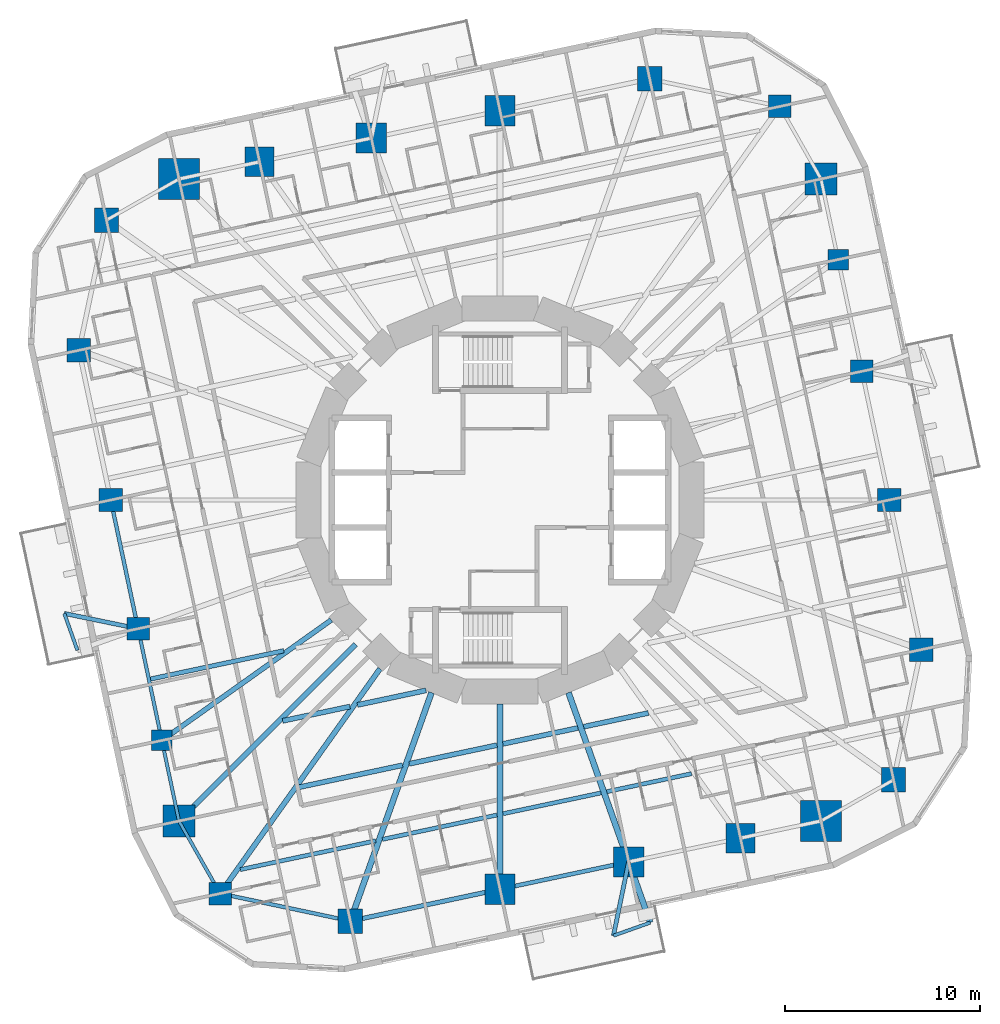
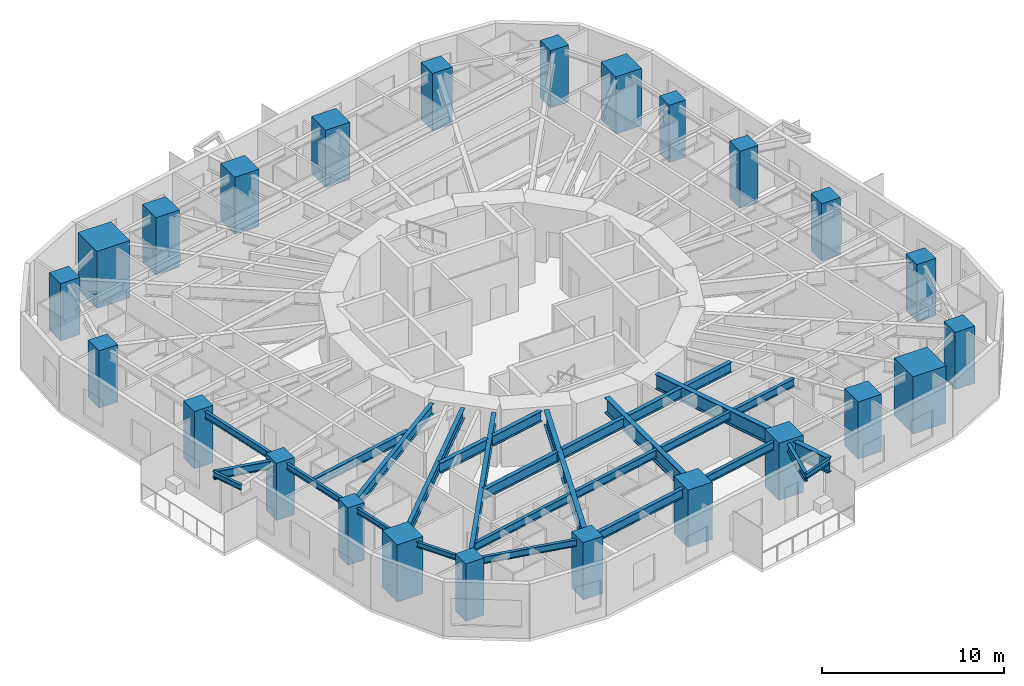
# One storey, part 1 of 14: 28 beams, 24 columns.
"""IFC4 building model written with IfcOpenShell, lengths in metres."""

from ifc_helpers import new_model, si_unit, direction, frame, origin, origin_2d, place, context, subcontext, project, spatial, rectangle, i_section, extrude, material, material_profile, profile_set, type_object, element, save


model = new_model("IFC4")

# Units and contexts
model_context = context("Model", 3, precision=1e-05, world=origin(), true_north=direction((0.0, 1.0)))
body_context = subcontext(model_context, "Body", "Model", "MODEL_VIEW")
ifc_project = project(units=[si_unit("LENGTHUNIT", "METRE"), si_unit("AREAUNIT", "SQUARE_METRE"), si_unit("VOLUMEUNIT", "CUBIC_METRE"), si_unit("PLANEANGLEUNIT", "RADIAN"), si_unit("MASSUNIT", "GRAM", prefix="KILO")], contexts=[model_context])

# Site, building, storey
site_placement = place(None, origin())
site = spatial("IfcSite", under=ifc_project, at=site_placement, CompositionType="ELEMENT")
building_placement = place(site_placement, origin())
building = spatial("IfcBuilding", under=site, at=building_placement, Name="Nakasero Lantern House", CompositionType="ELEMENT")
storey_placement = place(building_placement, frame((0.0, 0.0, 112.699951171875)))
storey = spatial("IfcBuildingStorey", under=building, at=storey_placement, Name="L27", CompositionType="ELEMENT", Elevation=112.699951171875)

# Columns
ifc_material_1 = material(Name="Concrete C50/60", Category="concrete")
ifc_material_profile_1 = material_profile(ifc_material_1, rectangle(XDim=1.64990234375, YDim=1.64990234375, at=origin_2d()), Name="RC 1650x1650")
ifc_profile_set_1 = profile_set([ifc_material_profile_1], Name="Concrete C50/60")
column_type_1 = type_object("IfcColumnType", Name="Mega column RC 1650x1650 C50/60", PredefinedType="COLUMN", material=ifc_profile_set_1)
for number, where, z_axis, x_axis, name in (
    (1, (16.44091796875, 16.44091796875, 0.0), (0.0, 0.0, 1.0), (1.0, 0.0, 0.0), "Column B3-C06 L27"),
    (2, (-16.44091796875, -16.44091796875, 0.0), (0.0, 0.0, 1.0), (1.0, 0.0, 0.0), "Column B3-C18 L27"),
):
    element("IfcColumn", number, at=place(storey_placement, frame(where, z_axis=z_axis, x_axis=x_axis)), inside=storey, type_object=column_type_1, Name=name, PredefinedType="COLUMN", context=body_context, shape_type="SweptSolid", body=[
        extrude(rectangle(XDim=1.64990234375, YDim=1.64990234375, at=origin_2d()), origin(), (0.0, 0.0, 1.0), 3.85009765625),
    ])
ifc_material_2 = material(Name="Concrete C50/60", Category="concrete")
ifc_material_profile_2 = material_profile(ifc_material_2, rectangle(XDim=2.10009765625, YDim=2.10009765625, at=origin_2d()), Name="RC 2100x2100")
ifc_profile_set_2 = profile_set([ifc_material_profile_2], Name="Concrete C50/60")
column_type_2 = type_object("IfcColumnType", Name="Mega column RC 2100x2100 C50/60", PredefinedType="COLUMN", material=ifc_profile_set_2)
for number, where, z_axis, x_axis, name in (
    (3, (-16.44091796875, 16.44091796875, 0.0), (0.0, 0.0, 1.0), (1.0, 0.0, 0.0), "Column B3-C12 L27"),
    (4, (16.44091796875, -16.44091796875, 0.0), (0.0, 0.0, 1.0), (1.0, 0.0, 0.0), "Column B3-C24 L27"),
):
    element("IfcColumn", number, at=place(storey_placement, frame(where, z_axis=z_axis, x_axis=x_axis)), inside=storey, type_object=column_type_2, Name=name, PredefinedType="COLUMN", context=body_context, shape_type="SweptSolid", body=[
        extrude(rectangle(XDim=2.10009765625, YDim=2.10009765625, at=origin_2d()), origin(), (0.0, 0.0, 1.0), 3.85009765625),
    ])
ifc_material_3 = material(Name="Concrete C50/60", Category="concrete")
ifc_material_profile_3 = material_profile(ifc_material_3, rectangle(XDim=1.050048828125, YDim=1.050048828125, at=origin_2d()), Name="RC 1050x1050")
ifc_profile_set_3 = profile_set([ifc_material_profile_3], Name="Concrete C50/60")
column_type_3 = type_object("IfcColumnType", Name="Ring column RC 1050x1050 C50/60", PredefinedType="COLUMN", material=ifc_profile_set_3)
for number, where, z_axis, x_axis, name in (
    (5, (17.318115234375, 12.31494140625, 0.0), (0.0, 0.0, 1.0), (1.0, 0.0, 0.0), "Column B3-C05 L27"),
    (6, (-17.318115234375, -12.31494140625, 0.0), (0.0, 0.0, 1.0), (1.0, 0.0, 0.0), "Column B3-C17 L27"),
):
    element("IfcColumn", number, at=place(storey_placement, frame(where, z_axis=z_axis, x_axis=x_axis)), inside=storey, type_object=column_type_3, Name=name, PredefinedType="COLUMN", context=body_context, shape_type="SweptSolid", body=[
        extrude(rectangle(XDim=1.050048828125, YDim=1.050048828125, at=origin_2d()), origin(), (0.0, 0.0, 1.0), 3.85009765625),
    ])
ifc_material_4 = material(Name="Concrete C50/60", Category="concrete")
ifc_material_profile_4 = material_profile(ifc_material_4, rectangle(XDim=1.14990234375, YDim=1.14990234375, at=origin_2d()), Name="RC 1150x1150")
ifc_profile_set_4 = profile_set([ifc_material_profile_4], Name="Concrete C50/60")
column_type_4 = type_object("IfcColumnType", Name="Ring column RC 1150x1150 C50/60", PredefinedType="COLUMN", material=ifc_profile_set_4)
for number, where, z_axis, x_axis, name in (
    (7, (18.534912109375, 6.590087890625, 0.0), (0.0, 0.0, 1.0), (1.0, 0.0, 0.0), "Column B3-C04 L27"),
    (8, (14.33349609375, 20.15625, 0.0), (0.0, 0.0, 1.0), (1.0, 0.0, 0.0), "Column B3-C07 L27"),
    (9, (-18.534912109375, -6.590087890625, 0.0), (0.0, 0.0, 1.0), (1.0, 0.0, 0.0), "Column B3-C16 L27"),
    (10, (-14.33349609375, -20.15625, 0.0), (0.0, 0.0, 1.0), (1.0, 0.0, 0.0), "Column B3-C19 L27"),
):
    element("IfcColumn", number, at=place(storey_placement, frame(where, z_axis=z_axis, x_axis=x_axis)), inside=storey, type_object=column_type_4, Name=name, PredefinedType="COLUMN", context=body_context, shape_type="SweptSolid", body=[
        extrude(rectangle(XDim=1.14990234375, YDim=1.14990234375, at=origin_2d()), origin(), (0.0, 0.0, 1.0), 3.85009765625),
    ])
ifc_material_5 = material(Name="Concrete C50/60", Category="concrete")
ifc_material_profile_5 = material_profile(ifc_material_5, rectangle(XDim=1.199951171875, YDim=1.199951171875, at=origin_2d()), Name="RC 1200x1200")
ifc_profile_set_5 = profile_set([ifc_material_profile_5], Name="Concrete C50/60")
column_type_5 = type_object("IfcColumnType", Name="Ring column RC 1200x1200 C50/60", PredefinedType="COLUMN", material=ifc_profile_set_5)
for number, where, z_axis, x_axis, name in (
    (11, (21.5654296875, -7.667724609375, 0.0), (0.0, 0.0, 1.0), (1.0, 0.0, 0.0), "Column B3-C02 L27"),
    (12, (19.935546875, 0.0, 0.0), (0.0, 0.0, 1.0), (1.0, 0.0, 0.0), "Column B3-C03 L27"),
    (13, (-21.5654296875, 7.667724609375, 0.0), (0.0, 0.0, 1.0), (1.0, 0.0, 0.0), "Column B3-C14 L27"),
    (14, (-19.935546875, 0.0, 0.0), (0.0, 0.0, 1.0), (1.0, 0.0, 0.0), "Column B3-C15 L27"),
):
    element("IfcColumn", number, at=place(storey_placement, frame(where, z_axis=z_axis, x_axis=x_axis)), inside=storey, type_object=column_type_5, Name=name, PredefinedType="COLUMN", context=body_context, shape_type="SweptSolid", body=[
        extrude(rectangle(XDim=1.199951171875, YDim=1.199951171875, at=origin_2d()), origin(), (0.0, 0.0, 1.0), 3.85009765625),
    ])
ifc_material_6 = material(Name="Concrete C50/60", Category="concrete")
ifc_material_profile_6 = material_profile(ifc_material_6, rectangle(XDim=1.25, YDim=1.25, at=origin_2d()), Name="RC 1250x1250")
ifc_profile_set_6 = profile_set([ifc_material_profile_6], Name="Concrete C50/60")
column_type_6 = type_object("IfcColumnType", Name="Ring column RC 1250x1250 C50/60", PredefinedType="COLUMN", material=ifc_profile_set_6)
for number, where, z_axis, x_axis, name in (
    (15, (20.15625, -14.33349609375, 0.0), (0.0, 0.0, 1.0), (1.0, 0.0, 0.0), "Column B3-C01 L27"),
    (16, (7.667724609375, 21.5654296875, 0.0), (0.0, 0.0, 1.0), (1.0, 0.0, 0.0), "Column B3-C08 L27"),
    (17, (-20.15625, 14.33349609375, 0.0), (0.0, 0.0, 1.0), (1.0, 0.0, 0.0), "Column B3-C13 L27"),
    (18, (-7.667724609375, -21.5654296875, 0.0), (0.0, 0.0, 1.0), (1.0, 0.0, 0.0), "Column B3-C20 L27"),
):
    element("IfcColumn", number, at=place(storey_placement, frame(where, z_axis=z_axis, x_axis=x_axis)), inside=storey, type_object=column_type_6, Name=name, PredefinedType="COLUMN", context=body_context, shape_type="SweptSolid", body=[
        extrude(rectangle(XDim=1.25, YDim=1.25, at=origin_2d()), origin(), (0.0, 0.0, 1.0), 3.85009765625),
    ])
ifc_material_7 = material(Name="Concrete C50/60", Category="concrete")
ifc_material_profile_7 = material_profile(ifc_material_7, rectangle(XDim=1.5, YDim=1.5, at=origin_2d()), Name="RC 1500x1500")
ifc_profile_set_7 = profile_set([ifc_material_profile_7], Name="Concrete C50/60")
column_type_7 = type_object("IfcColumnType", Name="Ring column RC 1500x1500 C50/60", PredefinedType="COLUMN", material=ifc_profile_set_7)
for number, where, z_axis, x_axis, name in (
    (19, (-12.31494140625, 17.318115234375, 0.0), (0.0, 0.0, 1.0), (1.0, 0.0, 0.0), "Column B3-C11 L27"),
    (20, (12.31494140625, -17.318115234375, 0.0), (0.0, 0.0, 1.0), (1.0, 0.0, 0.0), "Column B3-C23 L27"),
):
    element("IfcColumn", number, at=place(storey_placement, frame(where, z_axis=z_axis, x_axis=x_axis)), inside=storey, type_object=column_type_7, Name=name, PredefinedType="COLUMN", context=body_context, shape_type="SweptSolid", body=[
        extrude(rectangle(XDim=1.5, YDim=1.5, at=origin_2d()), origin(), (0.0, 0.0, 1.0), 3.85009765625),
    ])
ifc_material_8 = material(Name="Concrete C50/60", Category="concrete")
ifc_material_profile_8 = material_profile(ifc_material_8, rectangle(XDim=1.550048828125, YDim=1.550048828125, at=origin_2d()), Name="RC 1550x1550")
ifc_profile_set_8 = profile_set([ifc_material_profile_8], Name="Concrete C50/60")
column_type_8 = type_object("IfcColumnType", Name="Ring column RC 1550x1550 C50/60", PredefinedType="COLUMN", material=ifc_profile_set_8)
for number, where, z_axis, x_axis, name in (
    (21, (0.0, 19.935546875, 0.0), (0.0, 0.0, 1.0), (1.0, 0.0, 0.0), "Column B3-C09 L27"),
    (22, (-6.590087890625, 18.534912109375, 0.0), (0.0, 0.0, 1.0), (1.0, 0.0, 0.0), "Column B3-C10 L27"),
    (23, (0.0, -19.935546875, 0.0), (0.0, 0.0, 1.0), (1.0, 0.0, 0.0), "Column B3-C21 L27"),
    (24, (6.590087890625, -18.534912109375, 0.0), (0.0, 0.0, 1.0), (1.0, 0.0, 0.0), "Column B3-C22 L27"),
):
    element("IfcColumn", number, at=place(storey_placement, frame(where, z_axis=z_axis, x_axis=x_axis)), inside=storey, type_object=column_type_8, Name=name, PredefinedType="COLUMN", context=body_context, shape_type="SweptSolid", body=[
        extrude(rectangle(XDim=1.550048828125, YDim=1.550048828125, at=origin_2d()), origin(), (0.0, 0.0, 1.0), 3.85009765625),
    ])

# Beams
ifc_material_9 = material(Name="Steel S355", Category="steel")
ifc_material_profile_9 = material_profile(ifc_material_9, i_section(OverallWidth=0.2138671875, OverallDepth=0.549072265625, WebThickness=0.0146484375, FlangeThickness=0.023681640625, FilletRadius=0.0126953125, at=origin_2d()), Name="UB 533x210x138")
ifc_profile_set_9 = profile_set([ifc_material_profile_9], Name="Steel S355")
beam_type_1 = type_object("IfcBeamType", Name="Balcony splay beam UB 533x210x138", PredefinedType="BEAM", material=ifc_profile_set_9)
for number, where, z_axis, x_axis, name in (
    (25, (-18.534912109375, -6.590087890625, 3.37548828125), (-0.979420272605, 0.201831438605, 0.0), (-0.201831438605, -0.979420272605, 0.0), "Balcony splay beam L28 B3-C16A"),
    (26, (6.590087890625, -18.534912109375, 3.37548828125), (-0.201831438605, -0.979420272605, 0.0), (0.979420272605, -0.201831438605, 0.0), "Balcony splay beam L28 B3-C22A"),
):
    element("IfcBeam", number, at=place(storey_placement, frame(where, z_axis=z_axis, x_axis=x_axis)), inside=storey, type_object=beam_type_1, Name=name, PredefinedType="BEAM", context=body_context, shape_type="SweptSolid", body=[
        extrude(i_section(OverallWidth=0.2138671875, OverallDepth=0.549072265625, WebThickness=0.0146484375, FlangeThickness=0.023681640625, FilletRadius=0.0126953125, at=origin_2d()), origin(), (0.0, 0.0, 1.0), 3.858642578125),
    ])
ifc_material_10 = material(Name="Steel S355", Category="steel")
ifc_material_profile_10 = material_profile(ifc_material_10, i_section(OverallWidth=0.17138671875, OverallDepth=0.35498046875, WebThickness=0.00732421875, FlangeThickness=0.011474609375, FilletRadius=0.01025390625, at=origin_2d()), Name="UB 356x171x51")
ifc_profile_set_10 = profile_set([ifc_material_profile_10], Name="Steel S355")
beam_type_2 = type_object("IfcBeamType", Name="Balcony tie beam UB 356x171x51", PredefinedType="BEAM", material=ifc_profile_set_10)
for number, where, z_axis, x_axis, name in (
    (27, (-22.314208984375, -5.811279296875, 3.47265625), (0.335060236487, -0.942196708721, 0.0), (0.942196708721, 0.335060236487, 0.0), "Balcony tie beam L28 B3-C16"),
    (28, (5.811279296875, -22.314208984375, 3.47265625), (0.942196708721, 0.335060236487, 0.0), (-0.335060236487, 0.942196708721, 0.0), "Balcony tie beam L28 B3-C22"),
):
    element("IfcBeam", number, at=place(storey_placement, frame(where, z_axis=z_axis, x_axis=x_axis)), inside=storey, type_object=beam_type_2, Name=name, PredefinedType="BEAM", context=body_context, shape_type="SweptSolid", body=[
        extrude(i_section(OverallWidth=0.17138671875, OverallDepth=0.35498046875, WebThickness=0.00732421875, FlangeThickness=0.011474609375, FilletRadius=0.01025390625, at=origin_2d()), origin(), (0.0, 0.0, 1.0), 2.000244140625),
    ])
ifc_material_11 = material(Name="Steel S355", Category="steel")
ifc_material_profile_11 = material_profile(ifc_material_11, i_section(OverallWidth=0.2099609375, OverallDepth=0.53662109375, WebThickness=0.0107421875, FlangeThickness=0.017333984375, FilletRadius=0.0126953125, at=origin_2d()), Name="UB 533x210x101")
ifc_profile_set_11 = profile_set([ifc_material_profile_11], Name="Steel S355")
beam_type_3 = type_object("IfcBeamType", Name="Infill beam UB 533x210x101", PredefinedType="JOIST", material=ifc_profile_set_11)
beam_1_placement = place(storey_placement, frame((-13.29638671875, -18.927978515625, 3.381591796875), z_axis=(0.978149480204, 0.207902848411, 0.0), x_axis=(-0.207902848411, 0.978149480204, 0.0)))
element("IfcBeam", 29, at=beam_1_placement, inside=storey, type_object=beam_type_3, Name="Infill beam L28 03.1", PredefinedType="JOIST", context=body_context, shape_type="SweptSolid", body=[
    extrude(i_section(OverallWidth=0.2099609375, OverallDepth=0.53662109375, WebThickness=0.0107421875, FlangeThickness=0.017333984375, FilletRadius=0.0126953125, at=origin_2d()), origin(), (0.0, 0.0, 1.0), 7.085693359375),
])
beam_2_placement = place(storey_placement, frame((-6.02099609375, -17.381591796875, 3.381591796875), z_axis=(0.978149438519, 0.207903044531, 0.0), x_axis=(-0.207903044531, 0.978149438519, 0.0)))
element("IfcBeam", 30, at=beam_2_placement, inside=storey, type_object=beam_type_3, Name="Infill beam L28 03.2", PredefinedType="JOIST", context=body_context, shape_type="SweptSolid", body=[
    extrude(i_section(OverallWidth=0.2099609375, OverallDepth=0.53662109375, WebThickness=0.0107421875, FlangeThickness=0.017333984375, FilletRadius=0.0126953125, at=origin_2d()), origin(), (0.0, 0.0, 1.0), 5.99951171875),
])
beam_3_placement = place(storey_placement, frame((0.152587890625, -16.0693359375, 3.381591796875), z_axis=(0.978153894908, 0.207882076853, 0.0), x_axis=(-0.207882076853, 0.978153894908, 0.0)))
element("IfcBeam", 31, at=beam_3_placement, inside=storey, type_object=beam_type_3, Name="Infill beam L28 03.3", PredefinedType="JOIST", context=body_context, shape_type="SweptSolid", body=[
    extrude(i_section(OverallWidth=0.2099609375, OverallDepth=0.53662109375, WebThickness=0.0107421875, FlangeThickness=0.017333984375, FilletRadius=0.0126953125, at=origin_2d()), origin(), (0.0, 0.0, 1.0), 5.13330078125),
])
beam_4_placement = place(storey_placement, frame((5.471923828125, -14.938720703125, 3.381591796875), z_axis=(0.978149057111, 0.207904838982, 0.0), x_axis=(-0.207904838982, 0.978149057111, 0.0)))
element("IfcBeam", 32, at=beam_4_placement, inside=storey, type_object=beam_type_3, Name="Infill beam L28 03.4", PredefinedType="JOIST", context=body_context, shape_type="SweptSolid", body=[
    extrude(i_section(OverallWidth=0.2099609375, OverallDepth=0.53662109375, WebThickness=0.0107421875, FlangeThickness=0.017333984375, FilletRadius=0.0126953125, at=origin_2d()), origin(), (0.0, 0.0, 1.0), 4.435302734375),
])
ifc_material_12 = material(Name="Steel S355", Category="steel")
ifc_material_profile_12 = material_profile(ifc_material_12, i_section(OverallWidth=0.2275390625, OverallDepth=0.6025390625, WebThickness=0.010498046875, FlangeThickness=0.014892578125, FilletRadius=0.0126953125, at=origin_2d()), Name="UB 610x229x101")
ifc_profile_set_12 = profile_set([ifc_material_profile_12], Name="Steel S355")
beam_type_4 = type_object("IfcBeamType", Name="Infill beam UB 610x229x101", PredefinedType="JOIST", material=ifc_profile_set_12)
beam_5_placement = place(storey_placement, frame((-17.895263671875, -9.171142578125, 3.3486328125), z_axis=(0.978143535939, 0.207930813255, 0.0), x_axis=(-0.207930813255, 0.978143535939, 0.0)))
element("IfcBeam", 33, at=beam_5_placement, inside=storey, type_object=beam_type_4, Name="Infill beam L28 06.1", PredefinedType="JOIST", context=body_context, shape_type="SweptSolid", body=[
    extrude(i_section(OverallWidth=0.2275390625, OverallDepth=0.6025390625, WebThickness=0.010498046875, FlangeThickness=0.014892578125, FilletRadius=0.0126953125, at=origin_2d()), origin(), (0.0, 0.0, 1.0), 6.9697265625),
])
ifc_material_13 = material(Name="Steel S355", Category="steel")
ifc_material_profile_13 = material_profile(ifc_material_13, i_section(OverallWidth=0.253662109375, OverallDepth=0.68359375, WebThickness=0.012451171875, FlangeThickness=0.01904296875, FilletRadius=0.01513671875, at=origin_2d()), Name="UB 686x254x140")
ifc_profile_set_13 = profile_set([ifc_material_profile_13], Name="Steel S355")
beam_type_5 = type_object("IfcBeamType", Name="Infill beam UB 686x254x140", PredefinedType="JOIST", material=ifc_profile_set_13)
beam_6_placement = place(storey_placement, frame((-10.298828125, -14.712646484375, 3.308349609375), z_axis=(0.978155764637, 0.207873278962, 0.0), x_axis=(-0.207873278962, 0.978155764637, 0.0)))
element("IfcBeam", 34, at=beam_6_placement, inside=storey, type_object=beam_type_5, Name="Infill beam L28 04.1", PredefinedType="JOIST", context=body_context, shape_type="SweptSolid", body=[
    extrude(i_section(OverallWidth=0.253662109375, OverallDepth=0.68359375, WebThickness=0.012451171875, FlangeThickness=0.01904296875, FilletRadius=0.01513671875, at=origin_2d()), origin(), (0.0, 0.0, 1.0), 5.428466796875),
])
beam_7_placement = place(storey_placement, frame((-4.644775390625, -13.510986328125, 3.308349609375), z_axis=(0.978148041119, 0.207909618957, 0.0), x_axis=(-0.207909618957, 0.978148041119, 0.0)))
element("IfcBeam", 35, at=beam_7_placement, inside=storey, type_object=beam_type_5, Name="Infill beam L28 04.2", PredefinedType="JOIST", context=body_context, shape_type="SweptSolid", body=[
    extrude(i_section(OverallWidth=0.253662109375, OverallDepth=0.68359375, WebThickness=0.012451171875, FlangeThickness=0.01904296875, FilletRadius=0.01513671875, at=origin_2d()), origin(), (0.0, 0.0, 1.0), 4.592529296875),
])
beam_8_placement = place(storey_placement, frame((0.152587890625, -12.4912109375, 3.308349609375), z_axis=(0.978145250615, 0.20792274695, 0.0), x_axis=(-0.20792274695, 0.978145250615, 0.0)))
element("IfcBeam", 36, at=beam_8_placement, inside=storey, type_object=beam_type_5, Name="Infill beam L28 04.3", PredefinedType="JOIST", context=body_context, shape_type="SweptSolid", body=[
    extrude(i_section(OverallWidth=0.253662109375, OverallDepth=0.68359375, WebThickness=0.012451171875, FlangeThickness=0.01904296875, FilletRadius=0.01513671875, at=origin_2d()), origin(), (0.0, 0.0, 1.0), 3.924072265625),
])
beam_9_placement = place(storey_placement, frame((4.2890625, -11.612060546875, 3.308349609375), z_axis=(0.978143084163, 0.207932938478, 0.0), x_axis=(-0.207932938478, 0.978143084163, 0.0)))
element("IfcBeam", 37, at=beam_9_placement, inside=storey, type_object=beam_type_5, Name="Infill beam L28 04.4", PredefinedType="JOIST", context=body_context, shape_type="SweptSolid", body=[
    extrude(i_section(OverallWidth=0.253662109375, OverallDepth=0.68359375, WebThickness=0.012451171875, FlangeThickness=0.01904296875, FilletRadius=0.01513671875, at=origin_2d()), origin(), (0.0, 0.0, 1.0), 3.385009765625),
])
ifc_material_14 = material(Name="Steel S355", Category="steel")
ifc_material_profile_14 = material_profile(ifc_material_14, i_section(OverallWidth=0.255859375, OverallDepth=0.69287109375, WebThickness=0.014404296875, FlangeThickness=0.023681640625, FilletRadius=0.01513671875, at=origin_2d()), Name="UB 686x254x170")
ifc_profile_set_14 = profile_set([ifc_material_profile_14], Name="Steel S355")
beam_type_6 = type_object("IfcBeamType", Name="Infill beam UB 686x254x170", PredefinedType="JOIST", material=ifc_profile_set_14)
beam_10_placement = place(storey_placement, frame((-11.13232421875, -11.311767578125, 3.3037109375), z_axis=(0.97814493323, 0.20792424004, 0.0), x_axis=(-0.20792424004, 0.97814493323, 0.0)))
element("IfcBeam", 38, at=beam_10_placement, inside=storey, type_object=beam_type_6, Name="Infill beam L28 05.1", PredefinedType="JOIST", context=body_context, shape_type="SweptSolid", body=[
    extrude(i_section(OverallWidth=0.255859375, OverallDepth=0.69287109375, WebThickness=0.014404296875, FlangeThickness=0.023681640625, FilletRadius=0.01513671875, at=origin_2d()), origin(), (0.0, 0.0, 1.0), 3.5224609375),
])
beam_11_placement = place(storey_placement, frame((-7.30126953125, -10.497314453125, 3.3037109375), z_axis=(0.978149176892, 0.207904275439, 0.0), x_axis=(-0.207904275439, 0.978149176892, 0.0)))
element("IfcBeam", 39, at=beam_11_placement, inside=storey, type_object=beam_type_6, Name="Infill beam L28 05.2", PredefinedType="JOIST", context=body_context, shape_type="SweptSolid", body=[
    extrude(i_section(OverallWidth=0.255859375, OverallDepth=0.69287109375, WebThickness=0.014404296875, FlangeThickness=0.023681640625, FilletRadius=0.01513671875, at=origin_2d()), origin(), (0.0, 0.0, 1.0), 3.59228515625),
])
ifc_material_15 = material(Name="Steel S355", Category="steel")
ifc_material_profile_15 = material_profile(ifc_material_15, i_section(OverallWidth=0.300048828125, OverallDepth=0.989990234375, WebThickness=0.0166015625, FlangeThickness=0.031005859375, FilletRadius=0.030029296875, at=origin_2d()), Name="UB 1016x305x272")
ifc_profile_set_15 = profile_set([ifc_material_profile_15], Name="Steel S355")
beam_type_7 = type_object("IfcBeamType", Name="Primary beam UB 1016x305x272, span 12 to 15 m", PredefinedType="BEAM", material=ifc_profile_set_15)
beam_12_placement = place(storey_placement, frame((-7.667724609375, -21.5654296875, 3.155029296875), z_axis=(0.335011995103, 0.942213862739, 0.0), x_axis=(-0.942213862739, 0.335011995103, 0.0)))
element("IfcBeam", 40, at=beam_12_placement, inside=storey, type_object=beam_type_7, Name="Primary beam L28 B3-C20", PredefinedType="BEAM", context=body_context, shape_type="SweptSolid", body=[
    extrude(i_section(OverallWidth=0.300048828125, OverallDepth=0.989990234375, WebThickness=0.0166015625, FlangeThickness=0.031005859375, FilletRadius=0.030029296875, at=origin_2d()), origin(), (0.0, 0.0, 1.0), 12.41650390625),
])
ifc_material_16 = material(Name="Steel S355", Category="steel")
ifc_material_profile_16 = material_profile(ifc_material_16, i_section(OverallWidth=0.302001953125, OverallDepth=1.008056640625, WebThickness=0.02099609375, FlangeThickness=0.0400390625, FilletRadius=0.030029296875, at=origin_2d()), Name="UB 1016x305x349")
ifc_profile_set_16 = profile_set([ifc_material_profile_16], Name="Steel S355")
beam_type_8 = type_object("IfcBeamType", Name="Primary beam UB 1016x305x349, span 9 to 12 m", PredefinedType="BEAM", material=ifc_profile_set_16)
beam_13_placement = place(storey_placement, frame((7.69580078125, -21.64404296875, 3.14599609375), z_axis=(-0.335020841845, 0.942210717159, 0.0), x_axis=(-0.942210717159, -0.335020841845, 0.0)))
element("IfcBeam", 41, at=beam_13_placement, inside=storey, type_object=beam_type_8, Name="Primary beam L28 B3-C22", PredefinedType="BEAM", context=body_context, shape_type="SweptSolid", body=[
    extrude(i_section(OverallWidth=0.302001953125, OverallDepth=1.008056640625, WebThickness=0.02099609375, FlangeThickness=0.0400390625, FilletRadius=0.030029296875, at=origin_2d()), origin(), (0.0, 0.0, 1.0), 12.5),
])
ifc_material_17 = material(Name="Steel S355", Category="steel")
ifc_material_profile_17 = material_profile(ifc_material_17, i_section(OverallWidth=0.305419921875, OverallDepth=1.026123046875, WebThickness=0.02685546875, FlangeThickness=0.049072265625, FilletRadius=0.030029296875, at=origin_2d()), Name="UB 1016x305x437")
ifc_profile_set_17 = profile_set([ifc_material_profile_17], Name="Steel S355")
beam_type_9 = type_object("IfcBeamType", Name="Primary beam UB 1016x305x437, span 9 to 12 m", PredefinedType="BEAM", material=ifc_profile_set_17)
beam_14_placement = place(storey_placement, frame((0.0, -19.935546875, 3.136962890625), z_axis=(0.0, 1.0, 0.0), x_axis=(-1.0, 0.0, 0.0)))
element("IfcBeam", 42, at=beam_14_placement, inside=storey, type_object=beam_type_9, Name="Primary beam L28 B3-C21", PredefinedType="BEAM", context=body_context, shape_type="SweptSolid", body=[
    extrude(i_section(OverallWidth=0.305419921875, OverallDepth=1.026123046875, WebThickness=0.02685546875, FlangeThickness=0.049072265625, FilletRadius=0.030029296875, at=origin_2d()), origin(), (0.0, 0.0, 1.0), 9.477783203125),
])
ifc_material_18 = material(Name="Steel S355", Category="steel")
ifc_material_profile_18 = material_profile(ifc_material_18, i_section(OverallWidth=0.253662109375, OverallDepth=0.68359375, WebThickness=0.012451171875, FlangeThickness=0.01904296875, FilletRadius=0.01513671875, at=origin_2d()), Name="UB 686x254x140")
ifc_profile_set_18 = profile_set([ifc_material_profile_18], Name="Steel S355")
beam_type_10 = type_object("IfcBeamType", Name="Primary beam UB 686x254x140, span 12 to 15 m", PredefinedType="BEAM", material=ifc_profile_set_18)
beam_15_placement = place(storey_placement, frame((-16.44091796875, -16.44091796875, 3.308349609375), z_axis=(0.707106781187, 0.707106781187, 0.0), x_axis=(-0.707106781187, 0.707106781187, 0.0)))
element("IfcBeam", 43, at=beam_15_placement, inside=storey, type_object=beam_type_10, Name="Primary beam L28 B3-C18", PredefinedType="BEAM", context=body_context, shape_type="SweptSolid", body=[
    extrude(i_section(OverallWidth=0.253662109375, OverallDepth=0.68359375, WebThickness=0.012451171875, FlangeThickness=0.01904296875, FilletRadius=0.01513671875, at=origin_2d()), origin(), (0.0, 0.0, 1.0), 12.793212890625),
])
ifc_material_19 = material(Name="Steel S355", Category="steel")
ifc_material_profile_19 = material_profile(ifc_material_19, i_section(OverallWidth=0.253662109375, OverallDepth=0.68359375, WebThickness=0.012451171875, FlangeThickness=0.01904296875, FilletRadius=0.01513671875, at=origin_2d()), Name="UB 686x254x140")
ifc_profile_set_19 = profile_set([ifc_material_profile_19], Name="Steel S355")
beam_type_11 = type_object("IfcBeamType", Name="Primary beam UB 686x254x140, span 9 to 12 m", PredefinedType="BEAM", material=ifc_profile_set_19)
beam_16_placement = place(storey_placement, frame((-17.318115234375, -12.31494140625, 3.308349609375), z_axis=(0.814957491022, 0.579520739774, 0.0), x_axis=(-0.579520739774, 0.814957491022, 0.0)))
element("IfcBeam", 44, at=beam_16_placement, inside=storey, type_object=beam_type_11, Name="Primary beam L28 B3-C17", PredefinedType="BEAM", context=body_context, shape_type="SweptSolid", body=[
    extrude(i_section(OverallWidth=0.253662109375, OverallDepth=0.68359375, WebThickness=0.012451171875, FlangeThickness=0.01904296875, FilletRadius=0.01513671875, at=origin_2d()), origin(), (0.0, 0.0, 1.0), 10.64453125),
])
ifc_material_20 = material(Name="Steel S355", Category="steel")
ifc_material_profile_20 = material_profile(ifc_material_20, i_section(OverallWidth=0.2666015625, OverallDepth=0.76220703125, WebThickness=0.014404296875, FlangeThickness=0.021484375, FilletRadius=0.0166015625, at=origin_2d()), Name="UB 762x267x173")
ifc_profile_set_20 = profile_set([ifc_material_profile_20], Name="Steel S355")
beam_type_12 = type_object("IfcBeamType", Name="Primary beam UB 762x267x173, span 12 to 15 m", PredefinedType="BEAM", material=ifc_profile_set_20)
beam_17_placement = place(storey_placement, frame((-14.33349609375, -20.15625, 3.26904296875), z_axis=(0.57953679421, 0.814946074386, 0.0), x_axis=(-0.814946074386, 0.57953679421, 0.0)))
element("IfcBeam", 45, at=beam_17_placement, inside=storey, type_object=beam_type_12, Name="Primary beam L28 B3-C19", PredefinedType="BEAM", context=body_context, shape_type="SweptSolid", body=[
    extrude(i_section(OverallWidth=0.2666015625, OverallDepth=0.76220703125, WebThickness=0.014404296875, FlangeThickness=0.021484375, FilletRadius=0.0166015625, at=origin_2d()), origin(), (0.0, 0.0, 1.0), 14.127197265625),
])
ifc_material_21 = material(Name="Steel S355", Category="steel")
ifc_material_profile_21 = material_profile(ifc_material_21, i_section(OverallWidth=0.17138671875, OverallDepth=0.35498046875, WebThickness=0.00732421875, FlangeThickness=0.011474609375, FilletRadius=0.01025390625, at=origin_2d()), Name="UB 356x171x51")
ifc_profile_set_21 = profile_set([ifc_material_profile_21], Name="Steel S355")
beam_type_13 = type_object("IfcBeamType", Name="Ring beam UB 356x171x51", PredefinedType="BEAM", material=ifc_profile_set_21)
beam_18_placement = place(storey_placement, frame((-17.318115234375, -12.31494140625, 3.47265625), z_axis=(0.207955665195, -0.978138252658, 0.0), x_axis=(0.978138252658, 0.207955665195, 0.0)))
element("IfcBeam", 46, at=beam_18_placement, inside=storey, type_object=beam_type_13, Name="Ring beam L28 B3-C17", PredefinedType="BEAM", context=body_context, shape_type="SweptSolid", body=[
    extrude(i_section(OverallWidth=0.17138671875, OverallDepth=0.35498046875, WebThickness=0.00732421875, FlangeThickness=0.011474609375, FilletRadius=0.01025390625, at=origin_2d()), origin(), (0.0, 0.0, 1.0), 4.21826171875),
])
beam_19_placement = place(storey_placement, frame((-16.44091796875, -16.44091796875, 3.47265625), z_axis=(0.493378832737, -0.869814536213, 0.0), x_axis=(0.869814536213, 0.493378832737, 0.0)))
element("IfcBeam", 47, at=beam_19_placement, inside=storey, type_object=beam_type_13, Name="Ring beam L28 B3-C18", PredefinedType="BEAM", context=body_context, shape_type="SweptSolid", body=[
    extrude(i_section(OverallWidth=0.17138671875, OverallDepth=0.35498046875, WebThickness=0.00732421875, FlangeThickness=0.011474609375, FilletRadius=0.01025390625, at=origin_2d()), origin(), (0.0, 0.0, 1.0), 4.271484375),
])
ifc_material_22 = material(Name="Steel S355", Category="steel")
ifc_material_profile_22 = material_profile(ifc_material_22, i_section(OverallWidth=0.177978515625, OverallDepth=0.406494140625, WebThickness=0.0078125, FlangeThickness=0.0126953125, FilletRadius=0.01025390625, at=origin_2d()), Name="UB 406x178x60")
ifc_profile_set_22 = profile_set([ifc_material_profile_22], Name="Steel S355")
beam_type_14 = type_object("IfcBeamType", Name="Ring beam UB 406x178x60", PredefinedType="BEAM", material=ifc_profile_set_22)
beam_20_placement = place(storey_placement, frame((-18.534912109375, -6.590087890625, 3.44677734375), z_axis=(0.207902159541, -0.978149626621, 0.0), x_axis=(0.978149626621, 0.207902159541, 0.0)))
element("IfcBeam", 48, at=beam_20_placement, inside=storey, type_object=beam_type_14, Name="Ring beam L28 B3-C16", PredefinedType="BEAM", context=body_context, shape_type="SweptSolid", body=[
    extrude(i_section(OverallWidth=0.177978515625, OverallDepth=0.406494140625, WebThickness=0.0078125, FlangeThickness=0.0126953125, FilletRadius=0.01025390625, at=origin_2d()), origin(), (0.0, 0.0, 1.0), 5.852783203125),
])
ifc_material_23 = material(Name="Steel S355", Category="steel")
ifc_material_profile_23 = material_profile(ifc_material_23, i_section(OverallWidth=0.19140625, OverallDepth=0.4599609375, WebThickness=0.010009765625, FlangeThickness=0.01611328125, FilletRadius=0.01025390625, at=origin_2d()), Name="UB 457x191x82")
ifc_profile_set_23 = profile_set([ifc_material_profile_23], Name="Steel S355")
beam_type_15 = type_object("IfcBeamType", Name="Ring beam UB 457x191x82", PredefinedType="BEAM", material=ifc_profile_set_23)
beam_21_placement = place(storey_placement, frame((-19.935546875, 0.0, 3.420166015625), z_axis=(0.20789299389, -0.978151574702, 0.0), x_axis=(0.978151574702, 0.20789299389, 0.0)))
element("IfcBeam", 49, at=beam_21_placement, inside=storey, type_object=beam_type_15, Name="Ring beam L28 B3-C15", PredefinedType="BEAM", context=body_context, shape_type="SweptSolid", body=[
    extrude(i_section(OverallWidth=0.19140625, OverallDepth=0.4599609375, WebThickness=0.010009765625, FlangeThickness=0.01611328125, FilletRadius=0.01025390625, at=origin_2d()), origin(), (0.0, 0.0, 1.0), 6.7373046875),
])
beam_22_placement = place(storey_placement, frame((-14.33349609375, -20.15625, 3.420166015625), z_axis=(0.978376066473, -0.206833925052, 0.0), x_axis=(0.206833925052, 0.978376066473, 0.0)))
element("IfcBeam", 50, at=beam_22_placement, inside=storey, type_object=beam_type_15, Name="Ring beam L28 B3-C19", PredefinedType="BEAM", context=body_context, shape_type="SweptSolid", body=[
    extrude(i_section(OverallWidth=0.19140625, OverallDepth=0.4599609375, WebThickness=0.010009765625, FlangeThickness=0.01611328125, FilletRadius=0.01025390625, at=origin_2d()), origin(), (0.0, 0.0, 1.0), 6.81298828125),
])
ifc_material_24 = material(Name="Steel S355", Category="steel")
ifc_material_profile_24 = material_profile(ifc_material_24, i_section(OverallWidth=0.2099609375, OverallDepth=0.53662109375, WebThickness=0.0107421875, FlangeThickness=0.017333984375, FilletRadius=0.0126953125, at=origin_2d()), Name="UB 533x210x101")
ifc_profile_set_24 = profile_set([ifc_material_profile_24], Name="Steel S355")
beam_type_16 = type_object("IfcBeamType", Name="Ring beam UB 533x210x101", PredefinedType="BEAM", material=ifc_profile_set_24)
beam_23_placement = place(storey_placement, frame((0.0, -19.935546875, 3.381591796875), z_axis=(0.978151574702, 0.20789299389, 0.0), x_axis=(-0.20789299389, 0.978151574702, 0.0)))
element("IfcBeam", 51, at=beam_23_placement, inside=storey, type_object=beam_type_16, Name="Ring beam L28 B3-C21", PredefinedType="BEAM", context=body_context, shape_type="SweptSolid", body=[
    extrude(i_section(OverallWidth=0.2099609375, OverallDepth=0.53662109375, WebThickness=0.0107421875, FlangeThickness=0.017333984375, FilletRadius=0.0126953125, at=origin_2d()), origin(), (0.0, 0.0, 1.0), 6.7373046875),
])
ifc_material_25 = material(Name="Steel S355", Category="steel")
ifc_material_profile_25 = material_profile(ifc_material_25, i_section(OverallWidth=0.22900390625, OverallDepth=0.6123046875, WebThickness=0.011962890625, FlangeThickness=0.01953125, FilletRadius=0.0126953125, at=origin_2d()), Name="UB 610x229x125")
ifc_profile_set_25 = profile_set([ifc_material_profile_25], Name="Steel S355")
beam_type_17 = type_object("IfcBeamType", Name="Ring beam UB 610x229x125", PredefinedType="BEAM", material=ifc_profile_set_25)
beam_24_placement = place(storey_placement, frame((-7.667724609375, -21.5654296875, 3.343994140625), z_axis=(0.978146105516, 0.207918725139, 0.0), x_axis=(-0.207918725139, 0.978146105516, 0.0)))
element("IfcBeam", 52, at=beam_24_placement, inside=storey, type_object=beam_type_17, Name="Ring beam L28 B3-C20", PredefinedType="BEAM", context=body_context, shape_type="SweptSolid", body=[
    extrude(i_section(OverallWidth=0.22900390625, OverallDepth=0.6123046875, WebThickness=0.011962890625, FlangeThickness=0.01953125, FilletRadius=0.0126953125, at=origin_2d()), origin(), (0.0, 0.0, 1.0), 7.839111328125),
])

save(model, "model.ifc")
